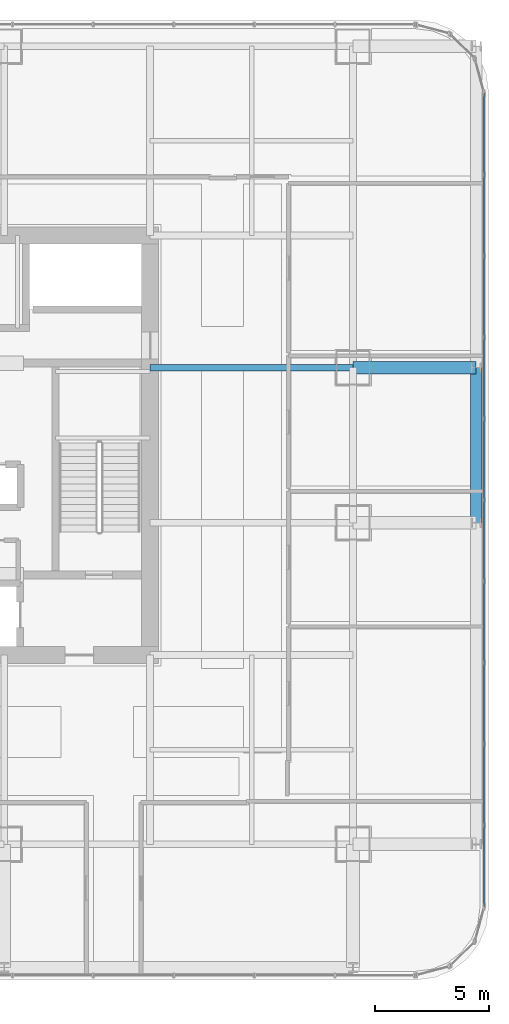
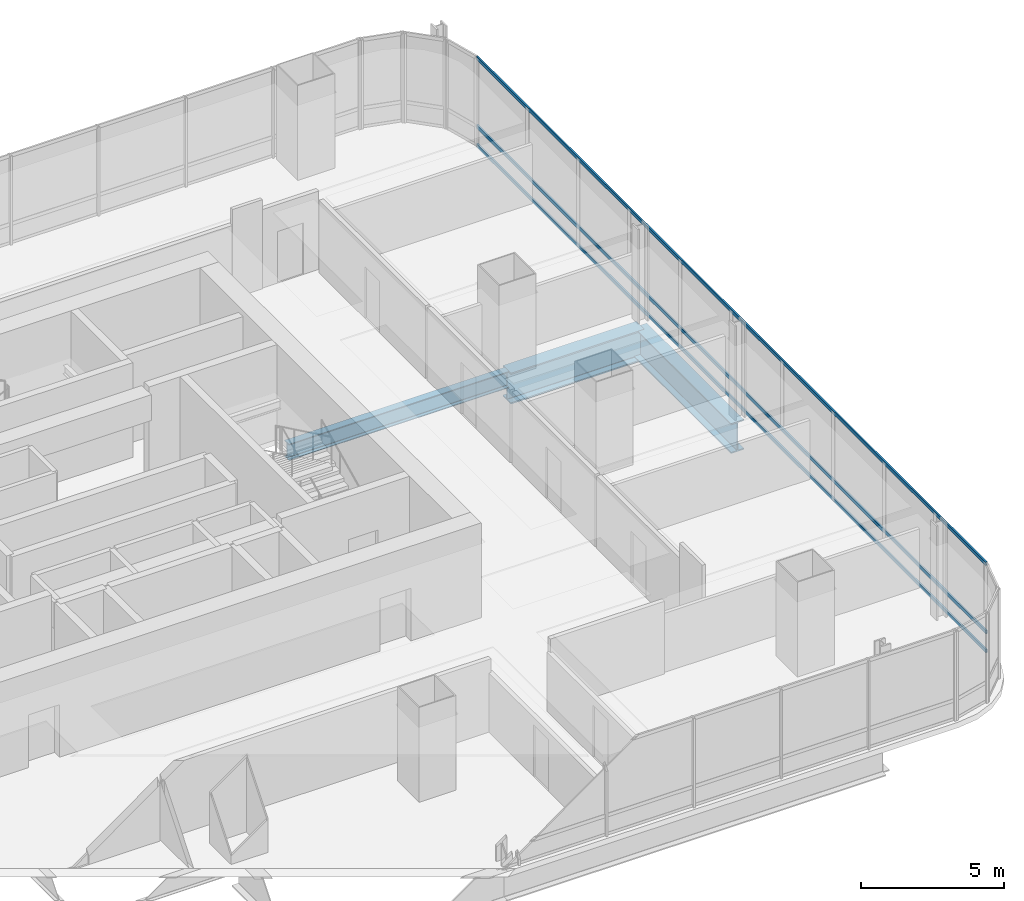
# One storey, part 16 of 34: 3 beams, 3 members, 1 element without a shape of its own.
"""IFC4 building model written with IfcOpenShell, lengths in metres."""

from ifc_helpers import new_model, si_unit, direction, frame, origin, origin_2d, place, context, subcontext, project, spatial, hollow_rectangle, i_section, extrude, material, material_profile, profile_set, type_object, element, aggregate, save


model = new_model("IFC4")

# Units and contexts
model_context = context("Model", 3, precision=1e-05, world=origin(), true_north=direction((0.0, 1.0)))
body_context = subcontext(model_context, "Body", "Model", "MODEL_VIEW")
ifc_project = project(units=[si_unit("LENGTHUNIT", "METRE"), si_unit("AREAUNIT", "SQUARE_METRE"), si_unit("VOLUMEUNIT", "CUBIC_METRE"), si_unit("PLANEANGLEUNIT", "RADIAN"), si_unit("MASSUNIT", "GRAM", prefix="KILO")], contexts=[model_context])

# Site, building, storey
site_placement = place(None, origin())
site = spatial("IfcSite", under=ifc_project, at=site_placement, CompositionType="ELEMENT")
building_placement = place(site_placement, origin())
building = spatial("IfcBuilding", under=site, at=building_placement, Name="Punatoya Terracotta Tower", CompositionType="ELEMENT")
storey_placement = place(building_placement, frame((0.0, 0.0, 84.89990234375)))
storey = spatial("IfcBuildingStorey", under=building, at=storey_placement, Name="L19", CompositionType="ELEMENT", Elevation=84.89990234375)

# Beams
ifc_material_1 = material(Name="Steel S355", Category="steel")
ifc_material_profile_1 = material_profile(ifc_material_1, i_section(OverallWidth=0.300048828125, OverallDepth=0.699951171875, WebThickness=0.01708984375, FlangeThickness=0.031982421875, FilletRadius=0.01806640625, at=origin_2d()))
ifc_profile_set_1 = profile_set([ifc_material_profile_1], Name="Steel S355")
beam_type_1 = type_object("IfcBeamType", Name="BM-PRI-700", PredefinedType="BEAM", material=ifc_profile_set_1)
beam_1_placement = place(storey_placement, frame((10.199951171875, 3.39990234375, -0.58984375), z_axis=(1.0, 0.0, 0.0), x_axis=(0.0, 1.0, 0.0)))
element("IfcBeam", 1, at=beam_1_placement, inside=storey, type_object=beam_type_1, Name="BM-L19-PR-EE", PredefinedType="BEAM", context=body_context, shape_type="SweptSolid", body=[
    extrude(i_section(OverallWidth=0.300048828125, OverallDepth=0.699951171875, WebThickness=0.01708984375, FlangeThickness=0.031982421875, FilletRadius=0.01806640625, at=origin_2d()), origin(), (0.0, 0.0, 1.0), 8.900146484375),
])
ifc_material_2 = material(Name="Steel S460", Category="steel")
ifc_material_profile_2 = material_profile(ifc_material_2, i_section(OverallWidth=0.56005859375, OverallDepth=1.320068359375, WebThickness=0.035888671875, FlangeThickness=0.054931640625, FilletRadius=0.01806640625, at=origin_2d()))
ifc_profile_set_2 = profile_set([ifc_material_profile_2], Name="Steel S460")
beam_type_2 = type_object("IfcBeamType", Name="BM-TG-BLK", PredefinedType="BEAM", material=ifc_profile_set_2)
beam_2_placement = place(storey_placement, frame((19.10009765625, 3.39990234375, -0.89990234375), z_axis=(1.0, 0.0, 0.0), x_axis=(0.0, 1.0, 0.0)))
element("IfcBeam", 2, at=beam_2_placement, inside=storey, type_object=beam_type_2, Name="BM-L19-CANT-E3", PredefinedType="BEAM", context=body_context, shape_type="SweptSolid", body=[
    extrude(i_section(OverallWidth=0.56005859375, OverallDepth=1.320068359375, WebThickness=0.035888671875, FlangeThickness=0.054931640625, FilletRadius=0.01806640625, at=origin_2d()), origin(), (0.0, 0.0, 1.0), 5.39990234375),
])
ifc_material_profile_3 = material_profile(ifc_material_2, i_section(OverallWidth=0.52001953125, OverallDepth=1.280029296875, WebThickness=0.031982421875, FlangeThickness=0.050048828125, FilletRadius=0.01806640625, at=origin_2d()))
ifc_profile_set_3 = profile_set([ifc_material_profile_3], Name="Steel S460")
beam_type_3 = type_object("IfcBeamType", Name="BM-TG-NCK", PredefinedType="BEAM", material=ifc_profile_set_3)
beam_3_placement = place(storey_placement, frame((24.5, -3.39990234375, -0.8798828125), z_axis=(0.0, 1.0, 0.0), x_axis=(-1.0, 0.0, 0.0)))
element("IfcBeam", 3, at=beam_3_placement, inside=storey, type_object=beam_type_3, Name="BM-L19-PER-E2", PredefinedType="BEAM", context=body_context, shape_type="SweptSolid", body=[
    extrude(i_section(OverallWidth=0.52001953125, OverallDepth=1.280029296875, WebThickness=0.031982421875, FlangeThickness=0.050048828125, FilletRadius=0.01806640625, at=origin_2d()), origin(), (0.0, 0.0, 1.0), 6.7998046875),
])

# Curtain wall, members
ifc_material_3 = material(Name="Aluminium 6063-T6 + Double Low-E Glass", Category="aluminium")
curtain_wall_type = type_object("IfcCurtainWallType", Name="CW-M1", PredefinedType="NOTDEFINED", material=ifc_material_3)
curtain_wall_placement = place(storey_placement, origin())
curtain_wall = element("IfcCurtainWall", 4, at=curtain_wall_placement, inside=storey, type_object=curtain_wall_type, Name="L19 Curtain Wall CW-L19-E05-1", PredefinedType="NOTDEFINED")
ifc_material_4 = material(Name="Aluminium 6063-T6", Category="aluminium")
ifc_material_profile_4 = material_profile(ifc_material_4, hollow_rectangle(XDim=0.068115234375, YDim=0.14990234375, WallThickness=0.00390625, at=origin_2d()))
ifc_profile_set_4 = profile_set([ifc_material_profile_4], Name="Aluminium 6063-T6")
member_type = type_object("IfcMemberType", Name="CW-TRN-TYP", PredefinedType="USERDEFINED", material=ifc_profile_set_4)
member_1_placement = place(storey_placement, frame((24.85009765625, -20.23681640625, 0.0400390625), z_axis=(0.0, 1.0, 0.0), x_axis=(-1.0, 0.0, 0.0)))
member_1 = element("IfcMember", 5, at=member_1_placement, type_object=member_type, Name="CW-L19-E05-1 Transom 1", ObjectType="TRANSOM", PredefinedType="USERDEFINED", context=body_context, shape_type="SweptSolid", body=[
    extrude(hollow_rectangle(XDim=0.068115234375, YDim=0.14990234375, WallThickness=0.00390625, at=origin_2d()), origin(), (0.0, 0.0, 1.0), 35.673828125),
])
member_2_placement = place(storey_placement, frame((24.85009765625, -20.23681640625, 0.85009765625), z_axis=(0.0, 1.0, 0.0), x_axis=(-1.0, 0.0, 0.0)))
member_2 = element("IfcMember", 6, at=member_2_placement, type_object=member_type, Name="CW-L19-E05-1 Transom 2", ObjectType="TRANSOM", PredefinedType="USERDEFINED", context=body_context, shape_type="SweptSolid", body=[
    extrude(hollow_rectangle(XDim=0.068115234375, YDim=0.14990234375, WallThickness=0.00390625, at=origin_2d()), origin(), (0.0, 0.0, 1.0), 35.673828125),
])
member_3_placement = place(storey_placement, frame((24.85009765625, -20.23681640625, 3.77001953125), z_axis=(0.0, 1.0, 0.0), x_axis=(-1.0, 0.0, 0.0)))
member_3 = element("IfcMember", 7, at=member_3_placement, type_object=member_type, Name="CW-L19-E05-1 Transom 3", ObjectType="TRANSOM", PredefinedType="USERDEFINED", context=body_context, shape_type="SweptSolid", body=[
    extrude(hollow_rectangle(XDim=0.068115234375, YDim=0.14990234375, WallThickness=0.00390625, at=origin_2d()), origin(), (0.0, 0.0, 1.0), 35.673828125),
])
aggregate(curtain_wall, [member_1, member_2, member_3])

save(model, "model.ifc")
